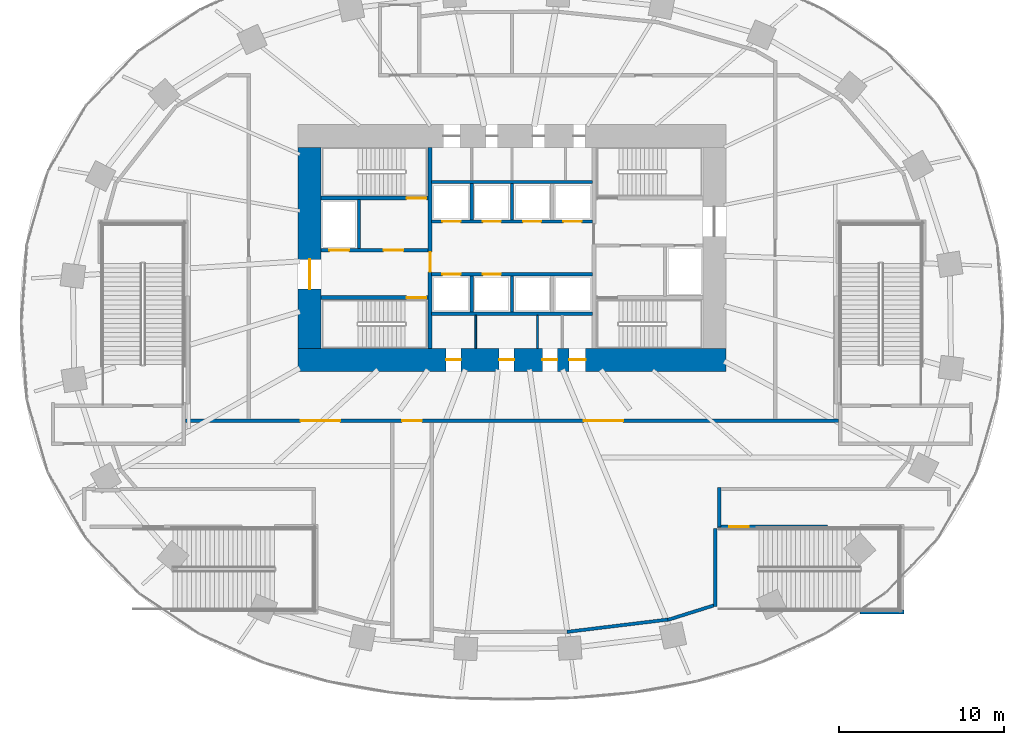
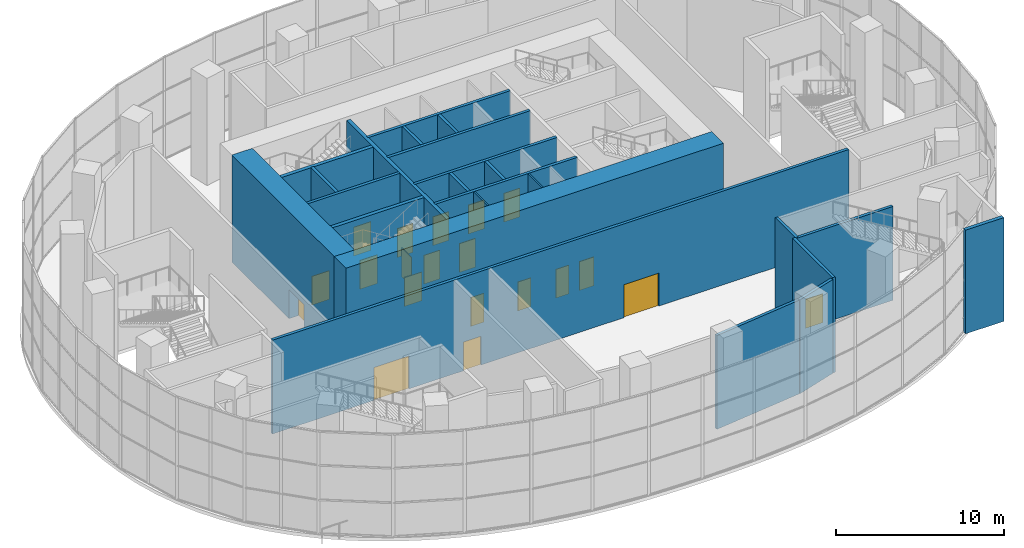
# One storey, part 14 of 22: 24 walls, 20 doors, 20 openings.
"""IFC4 building model written with IfcOpenShell, lengths in metres."""

from ifc_helpers import new_model, si_unit, direction, frame, frame_2d, origin, place, context, subcontext, project, spatial, rectangle, extrude, material, layer, layer_set, type_object, element, fill, save


model = new_model("IFC4")

# Units and contexts
model_context = context("Model", 3, precision=1e-05, world=origin(), true_north=direction((0.0, 1.0)))
body_context = subcontext(model_context, "Body", "Model", "MODEL_VIEW")
ifc_project = project(units=[si_unit("LENGTHUNIT", "METRE"), si_unit("AREAUNIT", "SQUARE_METRE"), si_unit("VOLUMEUNIT", "CUBIC_METRE"), si_unit("PLANEANGLEUNIT", "RADIAN"), si_unit("MASSUNIT", "GRAM", prefix="KILO")], contexts=[model_context])

# Site, building, storey
site_placement = place(None, origin())
site = spatial("IfcSite", under=ifc_project, at=site_placement, CompositionType="ELEMENT")
building_placement = place(site_placement, origin())
building = spatial("IfcBuilding", under=site, at=building_placement, Name="Rubra Terraces Tower", CompositionType="ELEMENT")
storey_placement = place(building_placement, frame((0.0, 0.0, 15.0)))
storey = spatial("IfcBuildingStorey", under=building, at=storey_placement, Name="L02", CompositionType="ELEMENT", Elevation=15.0)

# Wall, openings, doors
ifc_material_1 = material(Name="Concrete C70", Category="concrete")
ifc_layer_1 = layer(ifc_material_1, 1.39990234375)
ifc_layer_set_1 = layer_set([ifc_layer_1], Name="Concrete C70")
wall_type_1 = type_object("IfcWallType", Name="CORE WALL 1400 C70", PredefinedType="SHEAR", material=ifc_layer_set_1)
wall_1_placement = place(storey_placement, frame((-13.0, -2.300048828125, 0.0), z_axis=(0.0, 0.0, 1.0), x_axis=(1.0, 0.0, 0.0)))
wall_1 = element("IfcWall", 1, at=wall_1_placement, inside=storey, type_object=wall_type_1, Name="CORE WALL S L02", PredefinedType="SHEAR", context=body_context, shape_type="SweptSolid", body=[
    extrude(rectangle(XDim=26.0, YDim=1.39990234375, at=frame_2d((13.0, 0.0))), origin(), (0.0, 0.0, 1.0), 7.800048828125),
])
opening_1_placement = place(wall_1_placement, frame((9.0, 0.0, 0.0)))
opening_1 = element("IfcOpeningElement", 2, at=opening_1_placement, cuts=wall_1, Name="Opening L02.C19", PredefinedType="OPENING", context=body_context, shape_type="SweptSolid", body=[
    extrude(rectangle(XDim=0.89990234375, YDim=2.10009765625, at=frame_2d((0.449951171875, 1.050048828125))), frame((0.0, 0.7099609375, 0.0), z_axis=(0.0, -1.0, 0.0), x_axis=(1.0, 0.0, 0.0)), (0.0, 0.0, 1.0), 1.419921875),
])
opening_2_placement = place(wall_1_placement, frame((12.22509765625, 0.0, 0.0)))
opening_2 = element("IfcOpeningElement", 3, at=opening_2_placement, cuts=wall_1, Name="Opening L02.C20", PredefinedType="OPENING", context=body_context, shape_type="SweptSolid", body=[
    extrude(rectangle(XDim=0.89990234375, YDim=2.10009765625, at=frame_2d((0.449951171875, 1.050048828125))), frame((0.0, 0.7099609375, 0.0), z_axis=(0.0, -1.0, 0.0), x_axis=(1.0, 0.0, 0.0)), (0.0, 0.0, 1.0), 1.419921875),
])
opening_3_placement = place(wall_1_placement, frame((14.85009765625, 0.0, 0.0)))
opening_3 = element("IfcOpeningElement", 4, at=opening_3_placement, cuts=wall_1, Name="Opening L02.C21", PredefinedType="OPENING", context=body_context, shape_type="SweptSolid", body=[
    extrude(rectangle(XDim=0.89990234375, YDim=2.10009765625, at=frame_2d((0.449951171875, 1.050048828125))), frame((0.0, 0.7099609375, 0.0), z_axis=(0.0, -1.0, 0.0), x_axis=(1.0, 0.0, 0.0)), (0.0, 0.0, 1.0), 1.419921875),
])
opening_4_placement = place(wall_1_placement, frame((16.47509765625, 0.0, 0.0)))
opening_4 = element("IfcOpeningElement", 5, at=opening_4_placement, cuts=wall_1, Name="Opening L02.C22", PredefinedType="OPENING", context=body_context, shape_type="SweptSolid", body=[
    extrude(rectangle(XDim=1.0, YDim=2.10009765625, at=frame_2d((0.5, 1.050048828125))), frame((0.0, 0.7099609375, 0.0), z_axis=(0.0, -1.0, 0.0), x_axis=(1.0, 0.0, 0.0)), (0.0, 0.0, 1.0), 1.419921875),
])
ifc_material_2 = material(Name="Painted steel", Category="steel")
door_type_1 = type_object("IfcDoorType", Name="Fire door 1000x2100 single", OperationType="NOTDEFINED", PredefinedType="DOOR", material=ifc_material_2)
door_1_placement = place(opening_4_placement, origin())
door_1 = element("IfcDoor", 6, at=door_1_placement, inside=storey, type_object=door_type_1, Name="Accessible WC door", OperationType="SINGLE_SWING_RIGHT", OverallHeight=2.10009765625, OverallWidth=1.0, PredefinedType="DOOR", context=body_context, shape_type="SweptSolid", body=[
    extrude(rectangle(XDim=1.0, YDim=2.10009765625, at=frame_2d((0.5, 1.050048828125))), frame((0.0, 0.02490234375, 0.0), z_axis=(0.0, -1.0, 0.0), x_axis=(1.0, 0.0, 0.0)), (0.0, 0.0, 1.0), 0.050048828125),
])
fill(opening_4, door_1)
door_type_2 = type_object("IfcDoorType", Name="Fire door 900x2100 single", OperationType="NOTDEFINED", PredefinedType="DOOR", material=ifc_material_2)
door_2_placement = place(opening_1_placement, origin())
door_2 = element("IfcDoor", 7, at=door_2_placement, inside=storey, type_object=door_type_2, Name="Gents WC door", OperationType="SINGLE_SWING_LEFT", OverallHeight=2.10009765625, OverallWidth=0.89990234375, PredefinedType="DOOR", context=body_context, shape_type="SweptSolid", body=[
    extrude(rectangle(XDim=0.89990234375, YDim=2.10009765625, at=frame_2d((0.449951171875, 1.050048828125))), frame((0.0, 0.02490234375, 0.0), z_axis=(0.0, -1.0, 0.0), x_axis=(1.0, 0.0, 0.0)), (0.0, 0.0, 1.0), 0.050048828125),
])
fill(opening_1, door_2)
door_3_placement = place(opening_2_placement, origin())
door_3 = element("IfcDoor", 8, at=door_3_placement, inside=storey, type_object=door_type_2, Name="Ladies WC door", OperationType="SINGLE_SWING_RIGHT", OverallHeight=2.10009765625, OverallWidth=0.89990234375, PredefinedType="DOOR", context=body_context, shape_type="SweptSolid", body=[
    extrude(rectangle(XDim=0.89990234375, YDim=2.10009765625, at=frame_2d((0.449951171875, 1.050048828125))), frame((0.0, 0.02490234375, 0.0), z_axis=(0.0, -1.0, 0.0), x_axis=(1.0, 0.0, 0.0)), (0.0, 0.0, 1.0), 0.050048828125),
])
fill(opening_2, door_3)
door_4_placement = place(opening_3_placement, origin())
door_4 = element("IfcDoor", 9, at=door_4_placement, inside=storey, type_object=door_type_2, Name="Cleaner's store door", OperationType="SINGLE_SWING_LEFT", OverallHeight=2.10009765625, OverallWidth=0.89990234375, PredefinedType="DOOR", context=body_context, shape_type="SweptSolid", body=[
    extrude(rectangle(XDim=0.89990234375, YDim=2.10009765625, at=frame_2d((0.449951171875, 1.050048828125))), frame((0.0, 0.02490234375, 0.0), z_axis=(0.0, -1.0, 0.0), x_axis=(1.0, 0.0, 0.0)), (0.0, 0.0, 1.0), 0.050048828125),
])
fill(opening_3, door_4)

# Wall, opening, door
wall_2_placement = place(storey_placement, frame((-12.300048828125, -1.60009765625, 0.0), z_axis=(0.0, 0.0, 1.0), x_axis=(0.0, 1.0, 0.0)))
wall_2 = element("IfcWall", 10, at=wall_2_placement, inside=storey, type_object=wall_type_1, Name="CORE WALL W L02", PredefinedType="SHEAR", context=body_context, shape_type="SweptSolid", body=[
    extrude(rectangle(XDim=12.2001953125, YDim=1.39990234375, at=frame_2d((6.10009765625, 0.0))), origin(), (0.0, 0.0, 1.0), 7.800048828125),
])
opening_5_placement = place(wall_2_placement, frame((3.60009765625, 0.0, 0.0)))
opening_5 = element("IfcOpeningElement", 11, at=opening_5_placement, cuts=wall_2, Name="Opening L02.C01", PredefinedType="OPENING", context=body_context, shape_type="SweptSolid", body=[
    extrude(rectangle(XDim=1.800048828125, YDim=2.10009765625, at=frame_2d((0.89990234375, 1.050048828125))), frame((0.0, 0.7099609375, 0.0), z_axis=(0.0, -1.0, 0.0), x_axis=(1.0, 0.0, 0.0)), (0.0, 0.0, 1.0), 1.419921875),
])
door_type_3 = type_object("IfcDoorType", Name="Fire door 1800x2100 double", OperationType="NOTDEFINED", PredefinedType="DOOR", material=ifc_material_2)
door_5_placement = place(opening_5_placement, origin())
door_5 = element("IfcDoor", 12, at=door_5_placement, inside=storey, type_object=door_type_3, Name="Core entrance door FF1", OperationType="DOUBLE_DOOR_SINGLE_SWING", OverallHeight=2.10009765625, OverallWidth=1.800048828125, PredefinedType="DOOR", context=body_context, shape_type="SweptSolid", body=[
    extrude(rectangle(XDim=1.800048828125, YDim=2.10009765625, at=frame_2d((0.89990234375, 1.050048828125))), frame((0.0, 0.02490234375, 0.0), z_axis=(0.0, -1.0, 0.0), x_axis=(1.0, 0.0, 0.0)), (0.0, 0.0, 1.0), 0.050048828125),
])
fill(opening_5, door_5)

# Wall, openings, doors
ifc_material_3 = material(Name="Concrete C30", Category="concrete")
ifc_layer_2 = layer(ifc_material_3, 0.199951171875)
ifc_layer_set_2 = layer_set([ifc_layer_2], Name="Concrete C30")
wall_type_2 = type_object("IfcWallType", Name="Core wall 200 concrete", PredefinedType="SOLIDWALL", material=ifc_layer_set_2)
wall_3_placement = place(storey_placement, frame((-11.60009765625, 4.35009765625, 0.0), z_axis=(0.0, 0.0, 1.0), x_axis=(1.0, 0.0, 0.0)))
wall_3 = element("IfcWall", 13, at=wall_3_placement, inside=storey, type_object=wall_type_2, Name="STAIR WALL L02", PredefinedType="SOLIDWALL", context=body_context, shape_type="SweptSolid", body=[
    extrude(rectangle(XDim=6.5, YDim=0.199951171875, at=frame_2d((3.25, 0.0))), origin(), (0.0, 0.0, 1.0), 7.550048828125),
])
opening_6_placement = place(wall_3_placement, frame((3.800048828125, 0.0, 0.0)))
opening_6 = element("IfcOpeningElement", 14, at=opening_6_placement, cuts=wall_3, Name="Opening L02.C05", PredefinedType="OPENING", context=body_context, shape_type="SweptSolid", body=[
    extrude(rectangle(XDim=1.199951171875, YDim=2.10009765625, at=frame_2d((0.60009765625, 1.050048828125))), frame((0.0, 0.10986328125, 0.0), z_axis=(0.0, -1.0, 0.0), x_axis=(1.0, 0.0, 0.0)), (0.0, 0.0, 1.0), 0.219970703125),
])
opening_7_placement = place(wall_3_placement, frame((0.5, 0.0, 0.0)))
opening_7 = element("IfcOpeningElement", 15, at=opening_7_placement, cuts=wall_3, Name="Opening L02.C11", PredefinedType="OPENING", context=body_context, shape_type="SweptSolid", body=[
    extrude(rectangle(XDim=1.199951171875, YDim=2.10009765625, at=frame_2d((0.60009765625, 1.050048828125))), frame((0.0, 0.10986328125, 0.0), z_axis=(0.0, -1.0, 0.0), x_axis=(1.0, 0.0, 0.0)), (0.0, 0.0, 1.0), 0.219970703125),
])
door_type_4 = type_object("IfcDoorType", Name="Fire door 1200x2100 single", OperationType="NOTDEFINED", PredefinedType="DOOR", material=ifc_material_2)
door_6_placement = place(opening_6_placement, origin())
door_6 = element("IfcDoor", 16, at=door_6_placement, inside=storey, type_object=door_type_4, Name="Stair vestibule door S2", OperationType="SINGLE_SWING_LEFT", OverallHeight=2.10009765625, OverallWidth=1.199951171875, PredefinedType="DOOR", context=body_context, shape_type="SweptSolid", body=[
    extrude(rectangle(XDim=1.199951171875, YDim=2.10009765625, at=frame_2d((0.60009765625, 1.050048828125))), frame((0.0, 0.02490234375, 0.0), z_axis=(0.0, -1.0, 0.0), x_axis=(1.0, 0.0, 0.0)), (0.0, 0.0, 1.0), 0.050048828125),
])
fill(opening_6, door_6)
ifc_material_4 = material(Name="Stainless steel", Category="steel")
door_type_5 = type_object("IfcDoorType", Name="Lift landing door 1200x2100", OperationType="NOTDEFINED", PredefinedType="DOOR", material=ifc_material_4)
door_7_placement = place(opening_7_placement, origin())
door_7 = element("IfcDoor", 17, at=door_7_placement, inside=storey, type_object=door_type_5, Name="Landing door FF1", OperationType="SLIDING_TO_RIGHT", OverallHeight=2.10009765625, OverallWidth=1.199951171875, PredefinedType="DOOR", context=body_context, shape_type="SweptSolid", body=[
    extrude(rectangle(XDim=1.199951171875, YDim=2.10009765625, at=frame_2d((0.60009765625, 1.050048828125))), frame((0.0, 0.02490234375, 0.0), z_axis=(0.0, -1.0, 0.0), x_axis=(1.0, 0.0, 0.0)), (0.0, 0.0, 1.0), 0.050048828125),
])
fill(opening_7, door_7)

# Walls
wall_4_placement = place(storey_placement, frame((-9.300048828125, 4.449951171875, 0.0), z_axis=(0.0, 0.0, 1.0), x_axis=(0.0, 1.0, 0.0)))
element("IfcWall", 18, at=wall_4_placement, inside=storey, type_object=wall_type_2, Name="STAIR WALL L02", PredefinedType="SOLIDWALL", context=body_context, shape_type="SweptSolid", body=[
    extrude(rectangle(XDim=3.0, YDim=0.199951171875, at=frame_2d((1.5, 0.0))), origin(), (0.0, 0.0, 1.0), 7.550048828125),
])
wall_5_placement = place(storey_placement, frame((-4.89990234375, 0.5, 0.0), z_axis=(0.0, 0.0, 1.0), x_axis=(1.0, 0.0, 0.0)))
element("IfcWall", 19, at=wall_5_placement, inside=storey, type_object=wall_type_2, Name="LIFT SHAFT WALL L02", PredefinedType="SOLIDWALL", context=body_context, shape_type="SweptSolid", body=[
    extrude(rectangle(XDim=9.7998046875, YDim=0.199951171875, at=frame_2d((4.89990234375, 0.0))), origin(), (0.0, 0.0, 1.0), 7.550048828125),
])

# Wall, openings, doors
wall_6_placement = place(storey_placement, frame((-4.89990234375, 2.89990234375, 0.0), z_axis=(0.0, 0.0, 1.0), x_axis=(1.0, 0.0, 0.0)))
wall_6 = element("IfcWall", 20, at=wall_6_placement, inside=storey, type_object=wall_type_2, Name="LIFT SHAFT WALL L02", PredefinedType="SOLIDWALL", context=body_context, shape_type="SweptSolid", body=[
    extrude(rectangle(XDim=9.7998046875, YDim=0.199951171875, at=frame_2d((4.89990234375, 0.0))), origin(), (0.0, 0.0, 1.0), 7.550048828125),
])
opening_8_placement = place(wall_6_placement, frame((0.675048828125, 0.0, 0.0)))
opening_8 = element("IfcOpeningElement", 21, at=opening_8_placement, cuts=wall_6, Name="Opening L02.C13", PredefinedType="OPENING", context=body_context, shape_type="SweptSolid", body=[
    extrude(rectangle(XDim=1.10009765625, YDim=2.10009765625, at=frame_2d((0.550048828125, 1.050048828125))), frame((0.0, 0.10986328125, 0.0), z_axis=(0.0, -1.0, 0.0), x_axis=(1.0, 0.0, 0.0)), (0.0, 0.0, 1.0), 0.219970703125),
])
opening_9_placement = place(wall_6_placement, frame((3.125, 0.0, 0.0)))
opening_9 = element("IfcOpeningElement", 22, at=opening_9_placement, cuts=wall_6, Name="Opening L02.C14", PredefinedType="OPENING", context=body_context, shape_type="SweptSolid", body=[
    extrude(rectangle(XDim=1.10009765625, YDim=2.10009765625, at=frame_2d((0.550048828125, 1.050048828125))), frame((0.0, 0.10986328125, 0.0), z_axis=(0.0, -1.0, 0.0), x_axis=(1.0, 0.0, 0.0)), (0.0, 0.0, 1.0), 0.219970703125),
])
door_type_6 = type_object("IfcDoorType", Name="Lift landing door 1100x2100", OperationType="NOTDEFINED", PredefinedType="DOOR", material=ifc_material_4)
door_8_placement = place(opening_8_placement, origin())
door_8 = element("IfcDoor", 23, at=door_8_placement, inside=storey, type_object=door_type_6, Name="Landing door LB1", OperationType="SLIDING_TO_RIGHT", OverallHeight=2.10009765625, OverallWidth=1.10009765625, PredefinedType="DOOR", context=body_context, shape_type="SweptSolid", body=[
    extrude(rectangle(XDim=1.10009765625, YDim=2.10009765625, at=frame_2d((0.550048828125, 1.050048828125))), frame((0.0, 0.02490234375, 0.0), z_axis=(0.0, -1.0, 0.0), x_axis=(1.0, 0.0, 0.0)), (0.0, 0.0, 1.0), 0.050048828125),
])
fill(opening_8, door_8)
door_9_placement = place(opening_9_placement, origin())
door_9 = element("IfcDoor", 24, at=door_9_placement, inside=storey, type_object=door_type_6, Name="Landing door LB2", OperationType="SLIDING_TO_LEFT", OverallHeight=2.10009765625, OverallWidth=1.10009765625, PredefinedType="DOOR", context=body_context, shape_type="SweptSolid", body=[
    extrude(rectangle(XDim=1.10009765625, YDim=2.10009765625, at=frame_2d((0.550048828125, 1.050048828125))), frame((0.0, 0.02490234375, 0.0), z_axis=(0.0, -1.0, 0.0), x_axis=(1.0, 0.0, 0.0)), (0.0, 0.0, 1.0), 0.050048828125),
])
fill(opening_9, door_9)

wall_7_placement = place(storey_placement, frame((-4.89990234375, 6.10009765625, 0.0), z_axis=(0.0, 0.0, 1.0), x_axis=(1.0, 0.0, 0.0)))
wall_7 = element("IfcWall", 25, at=wall_7_placement, inside=storey, type_object=wall_type_2, Name="LIFT SHAFT WALL L02", PredefinedType="SOLIDWALL", context=body_context, shape_type="SweptSolid", body=[
    extrude(rectangle(XDim=9.7998046875, YDim=0.199951171875, at=frame_2d((4.89990234375, 0.0))), origin(), (0.0, 0.0, 1.0), 7.550048828125),
])
opening_10_placement = place(wall_7_placement, frame((0.675048828125, 0.0, 0.0)))
opening_10 = element("IfcOpeningElement", 26, at=opening_10_placement, cuts=wall_7, Name="Opening L02.C15", PredefinedType="OPENING", context=body_context, shape_type="SweptSolid", body=[
    extrude(rectangle(XDim=1.10009765625, YDim=2.10009765625, at=frame_2d((0.550048828125, 1.050048828125))), frame((0.0, 0.10986328125, 0.0), z_axis=(0.0, -1.0, 0.0), x_axis=(1.0, 0.0, 0.0)), (0.0, 0.0, 1.0), 0.219970703125),
])
opening_11_placement = place(wall_7_placement, frame((3.125, 0.0, 0.0)))
opening_11 = element("IfcOpeningElement", 27, at=opening_11_placement, cuts=wall_7, Name="Opening L02.C16", PredefinedType="OPENING", context=body_context, shape_type="SweptSolid", body=[
    extrude(rectangle(XDim=1.10009765625, YDim=2.10009765625, at=frame_2d((0.550048828125, 1.050048828125))), frame((0.0, 0.10986328125, 0.0), z_axis=(0.0, -1.0, 0.0), x_axis=(1.0, 0.0, 0.0)), (0.0, 0.0, 1.0), 0.219970703125),
])
opening_12_placement = place(wall_7_placement, frame((5.574951171875, 0.0, 0.0)))
opening_12 = element("IfcOpeningElement", 28, at=opening_12_placement, cuts=wall_7, Name="Opening L02.C17", PredefinedType="OPENING", context=body_context, shape_type="SweptSolid", body=[
    extrude(rectangle(XDim=1.10009765625, YDim=2.10009765625, at=frame_2d((0.550048828125, 1.050048828125))), frame((0.0, 0.10986328125, 0.0), z_axis=(0.0, -1.0, 0.0), x_axis=(1.0, 0.0, 0.0)), (0.0, 0.0, 1.0), 0.219970703125),
])
opening_13_placement = place(wall_7_placement, frame((8.02490234375, 0.0, 0.0)))
opening_13 = element("IfcOpeningElement", 29, at=opening_13_placement, cuts=wall_7, Name="Opening L02.C18", PredefinedType="OPENING", context=body_context, shape_type="SweptSolid", body=[
    extrude(rectangle(XDim=1.10009765625, YDim=2.10009765625, at=frame_2d((0.550048828125, 1.050048828125))), frame((0.0, 0.10986328125, 0.0), z_axis=(0.0, -1.0, 0.0), x_axis=(1.0, 0.0, 0.0)), (0.0, 0.0, 1.0), 0.219970703125),
])
door_10_placement = place(opening_10_placement, origin())
door_10 = element("IfcDoor", 30, at=door_10_placement, inside=storey, type_object=door_type_6, Name="Landing door LB3", OperationType="SLIDING_TO_RIGHT", OverallHeight=2.10009765625, OverallWidth=1.10009765625, PredefinedType="DOOR", context=body_context, shape_type="SweptSolid", body=[
    extrude(rectangle(XDim=1.10009765625, YDim=2.10009765625, at=frame_2d((0.550048828125, 1.050048828125))), frame((0.0, 0.02490234375, 0.0), z_axis=(0.0, -1.0, 0.0), x_axis=(1.0, 0.0, 0.0)), (0.0, 0.0, 1.0), 0.050048828125),
])
fill(opening_10, door_10)
door_11_placement = place(opening_11_placement, origin())
door_11 = element("IfcDoor", 31, at=door_11_placement, inside=storey, type_object=door_type_6, Name="Landing door LB4", OperationType="SLIDING_TO_LEFT", OverallHeight=2.10009765625, OverallWidth=1.10009765625, PredefinedType="DOOR", context=body_context, shape_type="SweptSolid", body=[
    extrude(rectangle(XDim=1.10009765625, YDim=2.10009765625, at=frame_2d((0.550048828125, 1.050048828125))), frame((0.0, 0.02490234375, 0.0), z_axis=(0.0, -1.0, 0.0), x_axis=(1.0, 0.0, 0.0)), (0.0, 0.0, 1.0), 0.050048828125),
])
fill(opening_11, door_11)
door_12_placement = place(opening_12_placement, origin())
door_12 = element("IfcDoor", 32, at=door_12_placement, inside=storey, type_object=door_type_6, Name="Landing door LB5", OperationType="SLIDING_TO_RIGHT", OverallHeight=2.10009765625, OverallWidth=1.10009765625, PredefinedType="DOOR", context=body_context, shape_type="SweptSolid", body=[
    extrude(rectangle(XDim=1.10009765625, YDim=2.10009765625, at=frame_2d((0.550048828125, 1.050048828125))), frame((0.0, 0.02490234375, 0.0), z_axis=(0.0, -1.0, 0.0), x_axis=(1.0, 0.0, 0.0)), (0.0, 0.0, 1.0), 0.050048828125),
])
fill(opening_12, door_12)
door_13_placement = place(opening_13_placement, origin())
door_13 = element("IfcDoor", 33, at=door_13_placement, inside=storey, type_object=door_type_6, Name="Landing door LB6", OperationType="SLIDING_TO_LEFT", OverallHeight=2.10009765625, OverallWidth=1.10009765625, PredefinedType="DOOR", context=body_context, shape_type="SweptSolid", body=[
    extrude(rectangle(XDim=1.10009765625, YDim=2.10009765625, at=frame_2d((0.550048828125, 1.050048828125))), frame((0.0, 0.02490234375, 0.0), z_axis=(0.0, -1.0, 0.0), x_axis=(1.0, 0.0, 0.0)), (0.0, 0.0, 1.0), 0.050048828125),
])
fill(opening_13, door_13)

# Walls
wall_8_placement = place(storey_placement, frame((-4.89990234375, 8.5, 0.0), z_axis=(0.0, 0.0, 1.0), x_axis=(1.0, 0.0, 0.0)))
element("IfcWall", 34, at=wall_8_placement, inside=storey, type_object=wall_type_2, Name="LIFT SHAFT WALL L02", PredefinedType="SOLIDWALL", context=body_context, shape_type="SweptSolid", body=[
    extrude(rectangle(XDim=9.7998046875, YDim=0.199951171875, at=frame_2d((4.89990234375, 0.0))), origin(), (0.0, 0.0, 1.0), 7.550048828125),
])
for number, where, z_axis, x_axis, name in (
    (35, (-2.449951171875, 0.60009765625, 0.0), (0.0, 0.0, 1.0), (0.0, 1.0, 0.0), "LIFT SHAFT WALL L02"),
    (36, (0.0, 0.60009765625, 0.0), (0.0, 0.0, 1.0), (0.0, 1.0, 0.0), "LIFT SHAFT WALL L02"),
    (37, (-2.449951171875, 6.199951171875, 0.0), (0.0, 0.0, 1.0), (0.0, 1.0, 0.0), "LIFT SHAFT WALL L02"),
    (38, (0.0, 6.199951171875, 0.0), (0.0, 0.0, 1.0), (0.0, 1.0, 0.0), "LIFT SHAFT WALL L02"),
):
    element("IfcWall", number, at=place(storey_placement, frame(where, z_axis=z_axis, x_axis=x_axis)), inside=storey, type_object=wall_type_2, Name=name, PredefinedType="SOLIDWALL", context=body_context, shape_type="SweptSolid", body=[
        extrude(rectangle(XDim=2.199951171875, YDim=0.199951171875, at=frame_2d((1.10009765625, 0.0))), origin(), (0.0, 0.0, 1.0), 7.550048828125),
    ])

# Wall, opening, door
ifc_material_5 = material(Name="Blockwork", Category="masonry")
ifc_layer_3 = layer(ifc_material_5, 0.199951171875)
ifc_layer_set_3 = layer_set([ifc_layer_3], Name="Blockwork")
wall_type_3 = type_object("IfcWallType", Name="Corridor partition 200 blockwork", PredefinedType="PARTITIONING", material=ifc_layer_set_3)
wall_9_placement = place(storey_placement, frame((19.179931640625, -12.449951171875, 0.0), z_axis=(0.0, 0.0, 1.0), x_axis=(-1.0, 0.0, 0.0)))
wall_9 = element("IfcWall", 39, at=wall_9_placement, inside=storey, type_object=wall_type_3, Name="Partition wall", PredefinedType="PARTITIONING", context=body_context, shape_type="SweptSolid", body=[
    extrude(rectangle(XDim=6.679931640625, YDim=0.199951171875, at=frame_2d((3.33984375, 0.0))), origin(), (0.0, 0.0, 1.0), 6.830078125),
])
opening_14_placement = place(wall_9_placement, frame((4.780029296875, 0.0, 0.0)))
opening_14 = element("IfcOpeningElement", 40, at=opening_14_placement, cuts=wall_9, Name="Opening DB7", PredefinedType="OPENING", context=body_context, shape_type="SweptSolid", body=[
    extrude(rectangle(XDim=1.199951171875, YDim=2.10009765625, at=frame_2d((0.60009765625, 1.050048828125))), frame((0.0, 0.10986328125, 0.0), z_axis=(0.0, -1.0, 0.0), x_axis=(1.0, 0.0, 0.0)), (0.0, 0.0, 1.0), 0.219970703125),
])
ifc_material_6 = material(Name="Painted timber", Category="wood")
door_type_7 = type_object("IfcDoorType", Name="Door 1200x2100 single", OperationType="NOTDEFINED", PredefinedType="DOOR", material=ifc_material_6)
door_14_placement = place(opening_14_placement, origin())
door_14 = element("IfcDoor", 41, at=door_14_placement, inside=storey, type_object=door_type_7, Name="Stair door L02-10", OperationType="SINGLE_SWING_LEFT", OverallHeight=2.10009765625, OverallWidth=1.199951171875, PredefinedType="DOOR", context=body_context, shape_type="SweptSolid", body=[
    extrude(rectangle(XDim=1.199951171875, YDim=2.10009765625, at=frame_2d((0.60009765625, 1.050048828125))), frame((0.0, 0.02490234375, 0.0), z_axis=(0.0, -1.0, 0.0), x_axis=(1.0, 0.0, 0.0)), (0.0, 0.0, 1.0), 0.050048828125),
])
fill(opening_14, door_14)

# Wall
wall_10_placement = place(storey_placement, frame((12.60009765625, -12.449951171875, 0.0), z_axis=(0.0, 0.0, 1.0), x_axis=(0.0, 1.0, 0.0)))
element("IfcWall", 42, at=wall_10_placement, inside=storey, type_object=wall_type_3, Name="Partition wall", PredefinedType="PARTITIONING", context=body_context, shape_type="SweptSolid", body=[
    extrude(rectangle(XDim=2.39990234375, YDim=0.199951171875, at=frame_2d((1.199951171875, 0.0))), origin(), (0.0, 0.0, 1.0), 6.830078125),
])

# Wall, openings, doors
wall_11_placement = place(storey_placement, frame((-19.85009765625, -6.0, 0.0), z_axis=(0.0, 0.0, 1.0), x_axis=(1.0, 0.0, 0.0)))
wall_11 = element("IfcWall", 43, at=wall_11_placement, inside=storey, type_object=wall_type_3, Name="Partition wall", PredefinedType="PARTITIONING", context=body_context, shape_type="SweptSolid", body=[
    extrude(rectangle(XDim=39.7001953125, YDim=0.199951171875, at=frame_2d((19.85009765625, 0.0))), origin(), (0.0, 0.0, 1.0), 6.830078125),
])
opening_15_placement = place(wall_11_placement, frame((13.172119140625, 0.0, 0.0)))
opening_15 = element("IfcOpeningElement", 44, at=opening_15_placement, cuts=wall_11, Name="Opening DB7", PredefinedType="OPENING", context=body_context, shape_type="SweptSolid", body=[
    extrude(rectangle(XDim=1.199951171875, YDim=2.10009765625, at=frame_2d((0.60009765625, 1.050048828125))), frame((0.0, 0.10986328125, 0.0), z_axis=(0.0, -1.0, 0.0), x_axis=(1.0, 0.0, 0.0)), (0.0, 0.0, 1.0), 0.219970703125),
])
opening_16_placement = place(wall_11_placement, frame((24.2109375, 0.0, 0.0)))
opening_16 = element("IfcOpeningElement", 45, at=opening_16_placement, cuts=wall_11, Name="Opening DB4", PredefinedType="OPENING", context=body_context, shape_type="SweptSolid", body=[
    extrude(rectangle(XDim=2.39990234375, YDim=2.39990234375, at=frame_2d((1.199951171875, 1.199951171875))), frame((0.0, 0.10986328125, 0.0), z_axis=(0.0, -1.0, 0.0), x_axis=(1.0, 0.0, 0.0)), (0.0, 0.0, 1.0), 0.219970703125),
])
opening_17_placement = place(wall_11_placement, frame((7.010986328125, 0.0, 0.0)))
opening_17 = element("IfcOpeningElement", 46, at=opening_17_placement, cuts=wall_11, Name="Opening DB4", PredefinedType="OPENING", context=body_context, shape_type="SweptSolid", body=[
    extrude(rectangle(XDim=2.39990234375, YDim=2.39990234375, at=frame_2d((1.199951171875, 1.199951171875))), frame((0.0, 0.10986328125, 0.0), z_axis=(0.0, -1.0, 0.0), x_axis=(1.0, 0.0, 0.0)), (0.0, 0.0, 1.0), 0.219970703125),
])
door_15_placement = place(opening_15_placement, origin())
door_15 = element("IfcDoor", 47, at=door_15_placement, inside=storey, type_object=door_type_7, Name="Door L02-03", OperationType="SINGLE_SWING_LEFT", OverallHeight=2.10009765625, OverallWidth=1.199951171875, PredefinedType="DOOR", context=body_context, shape_type="SweptSolid", body=[
    extrude(rectangle(XDim=1.199951171875, YDim=2.10009765625, at=frame_2d((0.60009765625, 1.050048828125))), frame((0.0, 0.02490234375, 0.0), z_axis=(0.0, -1.0, 0.0), x_axis=(1.0, 0.0, 0.0)), (0.0, 0.0, 1.0), 0.050048828125),
])
fill(opening_15, door_15)
ifc_material_7 = material(Name="Timber", Category="wood")
door_type_8 = type_object("IfcDoorType", Name="Door 2400x2400 double", OperationType="NOTDEFINED", PredefinedType="DOOR", material=ifc_material_7)
door_16_placement = place(opening_16_placement, origin())
door_16 = element("IfcDoor", 48, at=door_16_placement, inside=storey, type_object=door_type_8, Name="Door L02-15", OperationType="DOUBLE_DOOR_SINGLE_SWING", OverallHeight=2.39990234375, OverallWidth=2.39990234375, PredefinedType="DOOR", context=body_context, shape_type="SweptSolid", body=[
    extrude(rectangle(XDim=2.39990234375, YDim=2.39990234375, at=frame_2d((1.199951171875, 1.199951171875))), frame((0.0, 0.02490234375, 0.0), z_axis=(0.0, -1.0, 0.0), x_axis=(1.0, 0.0, 0.0)), (0.0, 0.0, 1.0), 0.050048828125),
])
fill(opening_16, door_16)
door_17_placement = place(opening_17_placement, origin())
door_17 = element("IfcDoor", 49, at=door_17_placement, inside=storey, type_object=door_type_8, Name="Door L02-16", OperationType="DOUBLE_DOOR_SINGLE_SWING", OverallHeight=2.39990234375, OverallWidth=2.39990234375, PredefinedType="DOOR", context=body_context, shape_type="SweptSolid", body=[
    extrude(rectangle(XDim=2.39990234375, YDim=2.39990234375, at=frame_2d((1.199951171875, 1.199951171875))), frame((0.0, 0.02490234375, 0.0), z_axis=(0.0, -1.0, 0.0), x_axis=(1.0, 0.0, 0.0)), (0.0, 0.0, 1.0), 0.050048828125),
])
fill(opening_17, door_17)

# Walls
wall_12_placement = place(storey_placement, frame((12.2548828125, -17.23095703125, 0.0), z_axis=(0.0, 0.0, 1.0), x_axis=(-0.953832821469, -0.300338057344, 0.0)))
element("IfcWall", 50, at=wall_12_placement, inside=storey, type_object=wall_type_3, Name="Partition wall", PredefinedType="PARTITIONING", context=body_context, shape_type="SweptSolid", body=[
    extrude(rectangle(XDim=2.916748046875, YDim=0.199951171875, at=frame_2d((1.45849609375, 0.0))), origin(), (0.0, 0.0, 1.0), 6.830078125),
])
wall_13_placement = place(storey_placement, frame((9.468994140625, -18.089111328125, 0.0), z_axis=(0.0, 0.0, 1.0), x_axis=(-0.992641352158, -0.121091477758, 0.0)))
element("IfcWall", 51, at=wall_13_placement, inside=storey, type_object=wall_type_3, Name="Partition wall", PredefinedType="PARTITIONING", context=body_context, shape_type="SweptSolid", body=[
    extrude(rectangle(XDim=6.16748046875, YDim=0.199951171875, at=frame_2d((3.083740234375, 0.0))), origin(), (0.0, 0.0, 1.0), 6.830078125),
])
ifc_layer_4 = layer(ifc_material_5, 0.199951171875)
ifc_layer_set_4 = layer_set([ifc_layer_4], Name="Blockwork")
wall_type_4 = type_object("IfcWallType", Name="Room partition 200 blockwork", PredefinedType="PARTITIONING", material=ifc_layer_set_4)
wall_14_placement = place(storey_placement, frame((12.35009765625, -12.550048828125, 0.0), z_axis=(0.0, 0.0, 1.0), x_axis=(0.0, -1.0, 0.0)))
element("IfcWall", 52, at=wall_14_placement, inside=storey, type_object=wall_type_4, Name="Partition wall", PredefinedType="PARTITIONING", context=body_context, shape_type="SweptSolid", body=[
    extrude(rectangle(XDim=4.7509765625, YDim=0.199951171875, at=frame_2d((2.37548828125, 0.0))), origin(), (0.0, 0.0, 1.0), 6.93408203125),
])
ifc_layer_5 = layer(ifc_material_5, 0.10009765625)
ifc_layer_set_5 = layer_set([ifc_layer_5], Name="Blockwork")
wall_type_5 = type_object("IfcWallType", Name="Service partition 100 blockwork", PredefinedType="PARTITIONING", material=ifc_layer_set_5)
for number, where, z_axis, x_axis, name in (
    (53, (-2.199951171875, -1.60009765625, 0.0), (0.0, 0.0, 1.0), (0.0, 1.0, 0.0), "SERVICE ROOM PARTITION L02"),
    (54, (1.550048828125, -1.60009765625, 0.0), (0.0, 0.0, 1.0), (0.0, 1.0, 0.0), "SERVICE ROOM PARTITION L02"),
):
    element("IfcWall", number, at=place(storey_placement, frame(where, z_axis=z_axis, x_axis=x_axis)), inside=storey, type_object=wall_type_5, Name=name, PredefinedType="PARTITIONING", context=body_context, shape_type="SweptSolid", body=[
        extrude(rectangle(XDim=2.0, YDim=0.10009765625, at=frame_2d((1.0, 0.0))), origin(), (0.0, 0.0, 1.0), 7.550048828125),
    ])

# Wall, opening, door
ifc_material_8 = material(Name="Concrete C40", Category="concrete")
ifc_layer_6 = layer(ifc_material_8, 0.25)
ifc_layer_set_6 = layer_set([ifc_layer_6], Name="Concrete C40")
wall_type_6 = type_object("IfcWallType", Name="Stair enclosure wall 250 concrete", PredefinedType="SOLIDWALL", material=ifc_layer_set_6)
wall_15_placement = place(storey_placement, frame((-11.60009765625, 1.47509765625, 0.0), z_axis=(0.0, 0.0, 1.0), x_axis=(1.0, 0.0, 0.0)))
wall_15 = element("IfcWall", 55, at=wall_15_placement, inside=storey, type_object=wall_type_6, Name="STAIR WALL L02", PredefinedType="SOLIDWALL", context=body_context, shape_type="SweptSolid", body=[
    extrude(rectangle(XDim=6.5, YDim=0.25, at=frame_2d((3.25, 0.0))), origin(), (0.0, 0.0, 1.0), 7.550048828125),
])
opening_18_placement = place(wall_15_placement, frame((5.199951171875, 0.0, 0.0)))
opening_18 = element("IfcOpeningElement", 56, at=opening_18_placement, cuts=wall_15, Name="Opening L02.C07", PredefinedType="OPENING", context=body_context, shape_type="SweptSolid", body=[
    extrude(rectangle(XDim=1.199951171875, YDim=2.10009765625, at=frame_2d((0.60009765625, 1.050048828125))), frame((0.0, 0.135009765625, 0.0), z_axis=(0.0, -1.0, 0.0), x_axis=(1.0, 0.0, 0.0)), (0.0, 0.0, 1.0), 0.27001953125),
])
door_18_placement = place(opening_18_placement, origin())
door_18 = element("IfcDoor", 57, at=door_18_placement, inside=storey, type_object=door_type_4, Name="Stair door S1", OperationType="SINGLE_SWING_LEFT", OverallHeight=2.10009765625, OverallWidth=1.199951171875, PredefinedType="DOOR", context=body_context, shape_type="SweptSolid", body=[
    extrude(rectangle(XDim=1.199951171875, YDim=2.10009765625, at=frame_2d((0.60009765625, 1.050048828125))), frame((0.0, 0.02490234375, 0.0), z_axis=(0.0, -1.0, 0.0), x_axis=(1.0, 0.0, 0.0)), (0.0, 0.0, 1.0), 0.050048828125),
])
fill(opening_18, door_18)

wall_16_placement = place(storey_placement, frame((-11.60009765625, 7.52490234375, 0.0), z_axis=(0.0, 0.0, 1.0), x_axis=(1.0, 0.0, 0.0)))
wall_16 = element("IfcWall", 58, at=wall_16_placement, inside=storey, type_object=wall_type_6, Name="STAIR WALL L02", PredefinedType="SOLIDWALL", context=body_context, shape_type="SweptSolid", body=[
    extrude(rectangle(XDim=6.5, YDim=0.25, at=frame_2d((3.25, 0.0))), origin(), (0.0, 0.0, 1.0), 7.550048828125),
])
opening_19_placement = place(wall_16_placement, frame((5.199951171875, 0.0, 0.0)))
opening_19 = element("IfcOpeningElement", 59, at=opening_19_placement, cuts=wall_16, Name="Opening L02.C09", PredefinedType="OPENING", context=body_context, shape_type="SweptSolid", body=[
    extrude(rectangle(XDim=1.199951171875, YDim=2.10009765625, at=frame_2d((0.60009765625, 1.050048828125))), frame((0.0, 0.135009765625, 0.0), z_axis=(0.0, -1.0, 0.0), x_axis=(1.0, 0.0, 0.0)), (0.0, 0.0, 1.0), 0.27001953125),
])
door_19_placement = place(opening_19_placement, origin())
door_19 = element("IfcDoor", 60, at=door_19_placement, inside=storey, type_object=door_type_4, Name="Stair door S2", OperationType="SINGLE_SWING_LEFT", OverallHeight=2.10009765625, OverallWidth=1.199951171875, PredefinedType="DOOR", context=body_context, shape_type="SweptSolid", body=[
    extrude(rectangle(XDim=1.199951171875, YDim=2.10009765625, at=frame_2d((0.60009765625, 1.050048828125))), frame((0.0, 0.02490234375, 0.0), z_axis=(0.0, -1.0, 0.0), x_axis=(1.0, 0.0, 0.0)), (0.0, 0.0, 1.0), 0.050048828125),
])
fill(opening_19, door_19)

wall_17_placement = place(storey_placement, frame((-4.97509765625, -1.60009765625, 0.0), z_axis=(0.0, 0.0, 1.0), x_axis=(0.0, 1.0, 0.0)))
wall_17 = element("IfcWall", 61, at=wall_17_placement, inside=storey, type_object=wall_type_6, Name="CORE LOBBY WALL L02", PredefinedType="SOLIDWALL", context=body_context, shape_type="SweptSolid", body=[
    extrude(rectangle(XDim=12.2001953125, YDim=0.25, at=frame_2d((6.10009765625, 0.0))), origin(), (0.0, 0.0, 1.0), 7.550048828125),
])
opening_20_placement = place(wall_17_placement, frame((4.64990234375, 0.0, 0.0)))
opening_20 = element("IfcOpeningElement", 62, at=opening_20_placement, cuts=wall_17, Name="Opening L02.C03", PredefinedType="OPENING", context=body_context, shape_type="SweptSolid", body=[
    extrude(rectangle(XDim=1.199951171875, YDim=2.10009765625, at=frame_2d((0.60009765625, 1.050048828125))), frame((0.0, 0.135009765625, 0.0), z_axis=(0.0, -1.0, 0.0), x_axis=(1.0, 0.0, 0.0)), (0.0, 0.0, 1.0), 0.27001953125),
])
door_20_placement = place(opening_20_placement, origin())
door_20 = element("IfcDoor", 63, at=door_20_placement, inside=storey, type_object=door_type_4, Name="Firefighting lobby door FF1", OperationType="SINGLE_SWING_LEFT", OverallHeight=2.10009765625, OverallWidth=1.199951171875, PredefinedType="DOOR", context=body_context, shape_type="SweptSolid", body=[
    extrude(rectangle(XDim=1.199951171875, YDim=2.10009765625, at=frame_2d((0.60009765625, 1.050048828125))), frame((0.0, 0.02490234375, 0.0), z_axis=(0.0, -1.0, 0.0), x_axis=(1.0, 0.0, 0.0)), (0.0, 0.0, 1.0), 0.050048828125),
])
fill(opening_20, door_20)

# Wall
ifc_material_9 = material(Name="Concrete C40/50", Category="concrete")
ifc_layer_7 = layer(ifc_material_9, 0.25)
ifc_layer_set_7 = layer_set([ifc_layer_7], Name="Concrete C40/50")
wall_type_7 = type_object("IfcWallType", Name="Stair end wall 250 concrete", PredefinedType="SOLIDWALL", material=ifc_layer_set_7)
wall_18_placement = place(storey_placement, frame((21.159912109375, -17.625, 0.0), z_axis=(0.0, 0.0, 1.0), x_axis=(1.0, 0.0, 0.0)))
element("IfcWall", 64, at=wall_18_placement, inside=storey, type_object=wall_type_7, Name="Stair end wall", PredefinedType="SOLIDWALL", context=body_context, shape_type="SweptSolid", body=[
    extrude(rectangle(XDim=2.650146484375, YDim=0.25, at=frame_2d((1.3251953125, 0.0))), origin(), (0.0, 0.0, 1.0), 7.550048828125),
])

save(model, "model.ifc")
